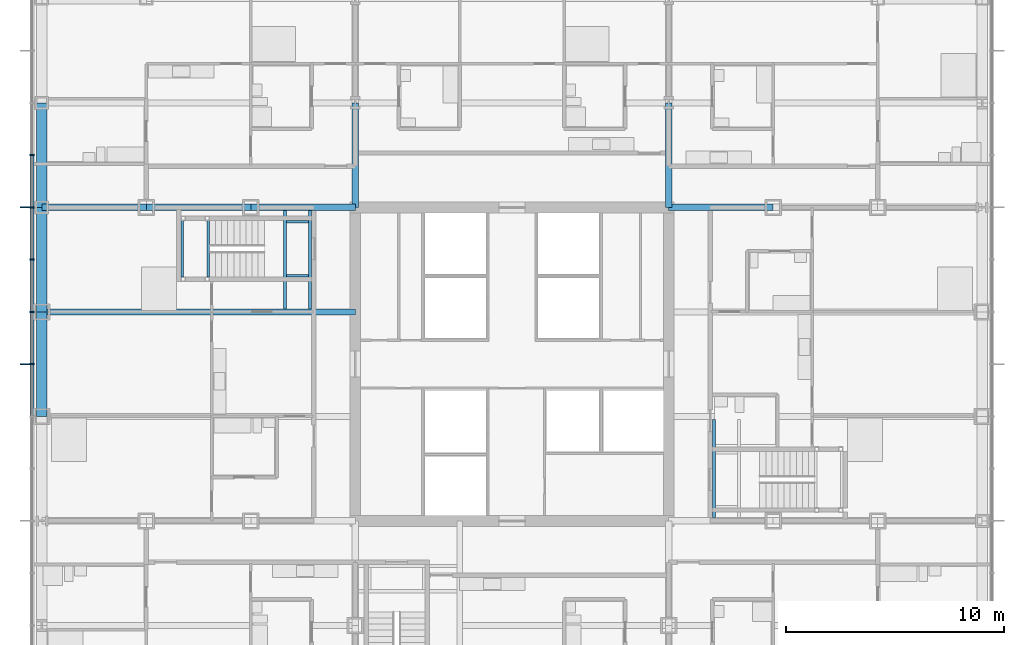
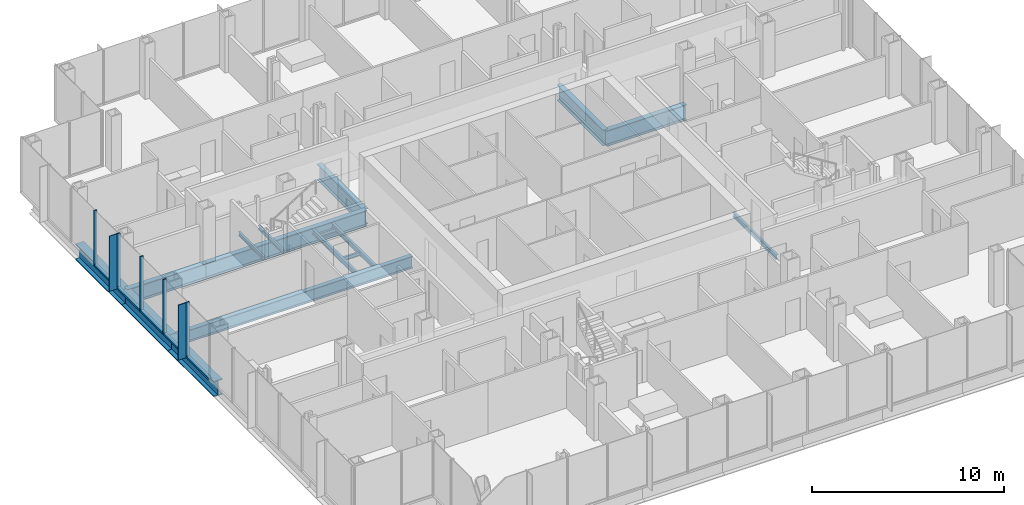
# One storey, part 8 of 21: 17 beams, 12 members, 1 element without a shape of its own.
"""IFC4 building model written with IfcOpenShell, lengths in metres."""

from ifc_helpers import new_model, si_unit, direction, frame, origin, origin_2d, place, context, subcontext, project, spatial, rectangle, i_section, extrude, material, material_profile, profile_set, type_object, element, aggregate, save


model = new_model("IFC4")

# Units and contexts
model_context = context("Model", 3, precision=1e-05, world=origin(), true_north=direction((0.0, 1.0)))
body_context = subcontext(model_context, "Body", "Model", "MODEL_VIEW")
ifc_project = project(units=[si_unit("LENGTHUNIT", "METRE"), si_unit("AREAUNIT", "SQUARE_METRE"), si_unit("VOLUMEUNIT", "CUBIC_METRE"), si_unit("PLANEANGLEUNIT", "RADIAN"), si_unit("MASSUNIT", "GRAM", prefix="KILO")], contexts=[model_context])

# Site, building, storey
site_placement = place(None, origin())
site = spatial("IfcSite", under=ifc_project, at=site_placement, CompositionType="ELEMENT")
building_placement = place(site_placement, origin())
building = spatial("IfcBuilding", under=site, at=building_placement, Name="Kvirike Care Tower", CompositionType="ELEMENT")
storey_placement = place(building_placement, frame((0.0, 0.0, 58.5)))
storey = spatial("IfcBuildingStorey", under=building, at=storey_placement, Name="L15", CompositionType="ELEMENT", Elevation=58.5)

# Curtain wall, members
ifc_material_1 = material(Name="Anodised aluminium stick system", Category="aluminium")
curtain_wall_type = type_object("IfcCurtainWallType", Name="CW-A STICK CURTAIN WALL", PredefinedType="NOTDEFINED", material=ifc_material_1)
curtain_wall_placement = place(storey_placement, origin())
curtain_wall = element("IfcCurtainWall", 1, at=curtain_wall_placement, inside=storey, type_object=curtain_wall_type, Name="Curtain wall L15 face 1", PredefinedType="NOTDEFINED")
ifc_material_2 = material(Name="Bronze anodised aluminium fin", Category="aluminium")
ifc_material_profile_1 = material_profile(ifc_material_2, rectangle(XDim=0.050048828125, YDim=0.449951171875, at=origin_2d()), Name="BRONZE FIN 450")
ifc_profile_set_1 = profile_set([ifc_material_profile_1], Name="Bronze anodised aluminium fin")
member_type_1 = type_object("IfcMemberType", Name="BRONZE FIN 450", PredefinedType="USERDEFINED", material=ifc_profile_set_1)
member_1_placement = place(storey_placement, frame((-0.77490234375, 43.199951171875, 0.0), z_axis=(0.0, 0.0, 1.0), x_axis=(0.0, -1.0, 0.0)))
member_1 = element("IfcMember", 2, at=member_1_placement, type_object=member_type_1, Name="Bronze fin L15 face 1.5", ObjectType="FIN", PredefinedType="USERDEFINED", context=body_context, shape_type="SweptSolid", body=[
    extrude(rectangle(XDim=0.050048828125, YDim=0.449951171875, at=origin_2d()), origin(), (0.0, 0.0, 1.0), 3.5),
])
member_2_placement = place(storey_placement, frame((-0.77490234375, 36.0, 0.0), z_axis=(0.0, 0.0, 1.0), x_axis=(0.0, -1.0, 0.0)))
member_2 = element("IfcMember", 3, at=member_2_placement, type_object=member_type_1, Name="Bronze fin L15 face 1.8", ObjectType="FIN", PredefinedType="USERDEFINED", context=body_context, shape_type="SweptSolid", body=[
    extrude(rectangle(XDim=0.050048828125, YDim=0.449951171875, at=origin_2d()), origin(), (0.0, 0.0, 1.0), 3.5),
])
ifc_material_3 = material(Name="Bronze anodised aluminium mullion", Category="aluminium")
ifc_material_profile_2 = material_profile(ifc_material_3, rectangle(XDim=0.06494140625, YDim=0.199951171875, at=origin_2d()), Name="CW-A MULLION 65x200")
ifc_profile_set_2 = profile_set([ifc_material_profile_2], Name="Bronze anodised aluminium mullion")
member_type_2 = type_object("IfcMemberType", Name="CW-A MULLION 65x200", PredefinedType="MULLION", material=ifc_profile_set_2)
member_3_placement = place(storey_placement, frame((-0.449951171875, 45.60009765625, 0.0), z_axis=(0.0, 0.0, 1.0), x_axis=(0.0, -1.0, 0.0)))
member_3 = element("IfcMember", 4, at=member_3_placement, type_object=member_type_2, Name="CW-A mullion L15 face 1.4", PredefinedType="MULLION", context=body_context, shape_type="SweptSolid", body=[
    extrude(rectangle(XDim=0.06494140625, YDim=0.199951171875, at=origin_2d()), origin(), (0.0, 0.0, 1.0), 3.5),
])
member_4_placement = place(storey_placement, frame((-0.449951171875, 43.199951171875, 0.0), z_axis=(0.0, 0.0, 1.0), x_axis=(0.0, -1.0, 0.0)))
member_4 = element("IfcMember", 5, at=member_4_placement, type_object=member_type_2, Name="CW-A mullion L15 face 1.5", PredefinedType="MULLION", context=body_context, shape_type="SweptSolid", body=[
    extrude(rectangle(XDim=0.06494140625, YDim=0.199951171875, at=origin_2d()), origin(), (0.0, 0.0, 1.0), 3.5),
])
member_5_placement = place(storey_placement, frame((-0.449951171875, 40.800048828125, 0.0), z_axis=(0.0, 0.0, 1.0), x_axis=(0.0, -1.0, 0.0)))
member_5 = element("IfcMember", 6, at=member_5_placement, type_object=member_type_2, Name="CW-A mullion L15 face 1.6", PredefinedType="MULLION", context=body_context, shape_type="SweptSolid", body=[
    extrude(rectangle(XDim=0.06494140625, YDim=0.199951171875, at=origin_2d()), origin(), (0.0, 0.0, 1.0), 3.5),
])
member_6_placement = place(storey_placement, frame((-0.449951171875, 38.39990234375, 0.0), z_axis=(0.0, 0.0, 1.0), x_axis=(0.0, -1.0, 0.0)))
member_6 = element("IfcMember", 7, at=member_6_placement, type_object=member_type_2, Name="CW-A mullion L15 face 1.7", PredefinedType="MULLION", context=body_context, shape_type="SweptSolid", body=[
    extrude(rectangle(XDim=0.06494140625, YDim=0.199951171875, at=origin_2d()), origin(), (0.0, 0.0, 1.0), 3.5),
])
member_7_placement = place(storey_placement, frame((-0.449951171875, 36.0, 0.0), z_axis=(0.0, 0.0, 1.0), x_axis=(0.0, -1.0, 0.0)))
member_7 = element("IfcMember", 8, at=member_7_placement, type_object=member_type_2, Name="CW-A mullion L15 face 1.8", PredefinedType="MULLION", context=body_context, shape_type="SweptSolid", body=[
    extrude(rectangle(XDim=0.06494140625, YDim=0.199951171875, at=origin_2d()), origin(), (0.0, 0.0, 1.0), 3.5),
])
ifc_material_4 = material(Name="Bronze anodised aluminium transom", Category="aluminium")
ifc_material_profile_3 = material_profile(ifc_material_4, rectangle(XDim=0.199951171875, YDim=0.10009765625, at=origin_2d()), Name="CW-A TRANSOM 200x100")
ifc_profile_set_3 = profile_set([ifc_material_profile_3], Name="Bronze anodised aluminium transom")
member_type_3 = type_object("IfcMemberType", Name="CW-A TRANSOM 200x100", PredefinedType="USERDEFINED", material=ifc_profile_set_3)
member_8_placement = place(storey_placement, frame((-0.449951171875, 45.5673828125, 0.050048828125), z_axis=(0.0, -1.0, 0.0), x_axis=(1.0, 0.0, 0.0)))
member_8 = element("IfcMember", 9, at=member_8_placement, type_object=member_type_3, Name="CW-A sill transom L15 face 1.4", ObjectType="TRANSOM", PredefinedType="USERDEFINED", context=body_context, shape_type="SweptSolid", body=[
    extrude(rectangle(XDim=0.199951171875, YDim=0.10009765625, at=origin_2d()), origin(), (0.0, 0.0, 1.0), 2.3349609375),
])
member_9_placement = place(storey_placement, frame((-0.449951171875, 43.16748046875, 0.050048828125), z_axis=(0.0, -1.0, 0.0), x_axis=(1.0, 0.0, 0.0)))
member_9 = element("IfcMember", 10, at=member_9_placement, type_object=member_type_3, Name="CW-A sill transom L15 face 1.5", ObjectType="TRANSOM", PredefinedType="USERDEFINED", context=body_context, shape_type="SweptSolid", body=[
    extrude(rectangle(XDim=0.199951171875, YDim=0.10009765625, at=origin_2d()), origin(), (0.0, 0.0, 1.0), 2.3349609375),
])
member_10_placement = place(storey_placement, frame((-0.449951171875, 40.767578125, 0.050048828125), z_axis=(0.0, -1.0, 0.0), x_axis=(1.0, 0.0, 0.0)))
member_10 = element("IfcMember", 11, at=member_10_placement, type_object=member_type_3, Name="CW-A sill transom L15 face 1.6", ObjectType="TRANSOM", PredefinedType="USERDEFINED", context=body_context, shape_type="SweptSolid", body=[
    extrude(rectangle(XDim=0.199951171875, YDim=0.10009765625, at=origin_2d()), origin(), (0.0, 0.0, 1.0), 2.3349609375),
])
member_11_placement = place(storey_placement, frame((-0.449951171875, 38.367431640625, 0.050048828125), z_axis=(0.0, -1.0, 0.0), x_axis=(1.0, 0.0, 0.0)))
member_11 = element("IfcMember", 12, at=member_11_placement, type_object=member_type_3, Name="CW-A sill transom L15 face 1.7", ObjectType="TRANSOM", PredefinedType="USERDEFINED", context=body_context, shape_type="SweptSolid", body=[
    extrude(rectangle(XDim=0.199951171875, YDim=0.10009765625, at=origin_2d()), origin(), (0.0, 0.0, 1.0), 2.3349609375),
])
member_12_placement = place(storey_placement, frame((-0.449951171875, 35.967529296875, 0.050048828125), z_axis=(0.0, -1.0, 0.0), x_axis=(1.0, 0.0, 0.0)))
member_12 = element("IfcMember", 13, at=member_12_placement, type_object=member_type_3, Name="CW-A sill transom L15 face 1.8", ObjectType="TRANSOM", PredefinedType="USERDEFINED", context=body_context, shape_type="SweptSolid", body=[
    extrude(rectangle(XDim=0.199951171875, YDim=0.10009765625, at=origin_2d()), origin(), (0.0, 0.0, 1.0), 2.3349609375),
])
aggregate(curtain_wall, [member_3, member_4, member_1, member_5, member_6, member_7, member_2, member_8, member_9, member_10, member_11, member_12])

# Beams
ifc_material_5 = material(Name="Steel S355", Category="steel")
ifc_material_profile_4 = material_profile(ifc_material_5, i_section(OverallWidth=0.26806640625, OverallDepth=0.77001953125, WebThickness=0.015625, FlangeThickness=0.025390625, FilletRadius=0.01708984375, at=origin_2d()), Name="IPE 750x196")
ifc_profile_set_4 = profile_set([ifc_material_profile_4], Name="Steel S355")
beam_type_1 = type_object("IfcBeamType", Name="FLOOR BEAM IPE 750x196", PredefinedType="BEAM", material=ifc_profile_set_4)
beam_1_placement = place(storey_placement, frame((0.0, 38.39990234375, -0.554931640625), z_axis=(1.0, 0.0, 0.0), x_axis=(0.0, 1.0, 0.0)))
element("IfcBeam", 14, at=beam_1_placement, inside=storey, type_object=beam_type_1, Name="Floor Beam J3-J6 L15", PredefinedType="BEAM", context=body_context, shape_type="SweptSolid", body=[
    extrude(i_section(OverallWidth=0.26806640625, OverallDepth=0.77001953125, WebThickness=0.015625, FlangeThickness=0.025390625, FilletRadius=0.01708984375, at=origin_2d()), origin(), (0.0, 0.0, 1.0), 14.39990234375),
])
ifc_material_6 = material(Name="Steel S355", Category="steel")
ifc_material_profile_5 = material_profile(ifc_material_6, i_section(OverallWidth=0.300048828125, OverallDepth=1.0, WebThickness=0.01904296875, FlangeThickness=0.035888671875, FilletRadius=0.030029296875, at=origin_2d()), Name="HE 1000 B")
ifc_profile_set_5 = profile_set([ifc_material_profile_5], Name="Steel S355")
beam_type_2 = type_object("IfcBeamType", Name="FRAME BEAM HE 1000 B", PredefinedType="BEAM", material=ifc_profile_set_5)
for number, where, z_axis, x_axis, name in (
    (15, (0.0, 43.199951171875, -0.669921875), (1.0, 0.0, 0.0), (0.0, 1.0, 0.0), "Frame Beam K3-K4 L15"),
    (16, (4.800048828125, 43.199951171875, -0.669921875), (1.0, 0.0, 0.0), (0.0, 1.0, 0.0), "Frame Beam K4-K5 L15"),
):
    element("IfcBeam", number, at=place(storey_placement, frame(where, z_axis=z_axis, x_axis=x_axis)), inside=storey, type_object=beam_type_2, Name=name, PredefinedType="BEAM", context=body_context, shape_type="SweptSolid", body=[
        extrude(i_section(OverallWidth=0.300048828125, OverallDepth=1.0, WebThickness=0.01904296875, FlangeThickness=0.035888671875, FilletRadius=0.030029296875, at=origin_2d()), origin(), (0.0, 0.0, 1.0), 4.800048828125),
    ])
beam_2_placement = place(storey_placement, frame((9.60009765625, 43.199951171875, -0.669921875), z_axis=(1.0, 0.0, 0.0), x_axis=(0.0, 1.0, 0.0)))
element("IfcBeam", 17, at=beam_2_placement, inside=storey, type_object=beam_type_2, Name="Frame Beam K5-K6 L15", PredefinedType="BEAM", context=body_context, shape_type="SweptSolid", body=[
    extrude(i_section(OverallWidth=0.300048828125, OverallDepth=1.0, WebThickness=0.01904296875, FlangeThickness=0.035888671875, FilletRadius=0.030029296875, at=origin_2d()), origin(), (0.0, 0.0, 1.0), 4.7998046875),
])
for number, where, z_axis, x_axis, name in (
    (18, (28.800048828125, 43.199951171875, -0.669921875), (1.0, 0.0, 0.0), (0.0, 1.0, 0.0), "Frame Beam K9-K10 L15"),
    (19, (14.39990234375, 43.199951171875, -0.669921875), (0.0, 1.0, 0.0), (-1.0, 0.0, 0.0), "Frame Beam K6-L6 L15"),
    (20, (28.800048828125, 43.199951171875, -0.669921875), (0.0, 1.0, 0.0), (-1.0, 0.0, 0.0), "Frame Beam K9-L9 L15"),
):
    element("IfcBeam", number, at=place(storey_placement, frame(where, z_axis=z_axis, x_axis=x_axis)), inside=storey, type_object=beam_type_2, Name=name, PredefinedType="BEAM", context=body_context, shape_type="SweptSolid", body=[
        extrude(i_section(OverallWidth=0.300048828125, OverallDepth=1.0, WebThickness=0.01904296875, FlangeThickness=0.035888671875, FilletRadius=0.030029296875, at=origin_2d()), origin(), (0.0, 0.0, 1.0), 4.800048828125),
    ])
ifc_material_7 = material(Name="Steel S355", Category="steel")
ifc_material_profile_6 = material_profile(ifc_material_7, i_section(OverallWidth=0.5, OverallDepth=1.0, WebThickness=0.030029296875, FlangeThickness=0.06005859375, at=origin_2d()), Name="PG 1000x500x30x60")
ifc_profile_set_6 = profile_set([ifc_material_profile_6], Name="Steel S355")
beam_type_3 = type_object("IfcBeamType", Name="SPANDREL PG 1000x500x30x60", PredefinedType="SPANDREL", material=ifc_profile_set_6)
beam_3_placement = place(storey_placement, frame((0.0, 33.60009765625, -0.669921875), z_axis=(0.0, 1.0, 0.0), x_axis=(-1.0, 0.0, 0.0)))
element("IfcBeam", 21, at=beam_3_placement, inside=storey, type_object=beam_type_3, Name="Spandrel H3-J3 L15", PredefinedType="SPANDREL", context=body_context, shape_type="SweptSolid", body=[
    extrude(i_section(OverallWidth=0.5, OverallDepth=1.0, WebThickness=0.030029296875, FlangeThickness=0.06005859375, at=origin_2d()), origin(), (0.0, 0.0, 1.0), 4.7998046875),
])
for number, where, z_axis, x_axis, name in (
    (22, (0.0, 38.39990234375, -0.669921875), (0.0, 1.0, 0.0), (-1.0, 0.0, 0.0), "Spandrel J3-K3 L15"),
    (23, (0.0, 43.199951171875, -0.669921875), (0.0, 1.0, 0.0), (-1.0, 0.0, 0.0), "Spandrel K3-L3 L15"),
):
    element("IfcBeam", number, at=place(storey_placement, frame(where, z_axis=z_axis, x_axis=x_axis)), inside=storey, type_object=beam_type_3, Name=name, PredefinedType="SPANDREL", context=body_context, shape_type="SweptSolid", body=[
        extrude(i_section(OverallWidth=0.5, OverallDepth=1.0, WebThickness=0.030029296875, FlangeThickness=0.06005859375, at=origin_2d()), origin(), (0.0, 0.0, 1.0), 4.800048828125),
    ])
ifc_material_8 = material(Name="Steel S355", Category="steel")
ifc_material_profile_7 = material_profile(ifc_material_8, i_section(OverallWidth=0.1201171875, OverallDepth=0.239990234375, WebThickness=0.006103515625, FlangeThickness=0.009765625, FilletRadius=0.014892578125, at=origin_2d()), Name="IPE 240")
ifc_profile_set_7 = profile_set([ifc_material_profile_7], Name="Steel S355")
beam_type_4 = type_object("IfcBeamType", Name="STAIR LANDING BEAM IPE 240", PredefinedType="BEAM", material=ifc_profile_set_7)
for number, where, z_axis, x_axis, name in (
    (24, (6.4599609375, 42.60009765625, 1.429931640625), (0.0, -1.0, 0.0), (1.0, 0.0, 0.0), "Stair 1 landing beam back L15"),
    (25, (7.639892578125, 42.60009765625, 1.429931640625), (0.0, -1.0, 0.0), (1.0, 0.0, 0.0), "Stair 1 landing beam front L15"),
):
    element("IfcBeam", number, at=place(storey_placement, frame(where, z_axis=z_axis, x_axis=x_axis)), inside=storey, type_object=beam_type_4, Name=name, PredefinedType="BEAM", context=body_context, shape_type="SweptSolid", body=[
        extrude(i_section(OverallWidth=0.1201171875, OverallDepth=0.239990234375, WebThickness=0.006103515625, FlangeThickness=0.009765625, FilletRadius=0.014892578125, at=origin_2d()), origin(), (0.0, 0.0, 1.0), 2.60009765625),
    ])
for number, where, z_axis, x_axis, name in (
    (26, (11.25, 42.5400390625, -0.320068359375), (1.0, 0.0, 0.0), (0.0, 1.0, 0.0), "Stair 1 landing edge beam 1 L15"),
    (27, (11.25, 40.06005859375, -0.320068359375), (1.0, 0.0, 0.0), (0.0, 1.0, 0.0), "Stair 1 landing edge beam 2 L15"),
):
    element("IfcBeam", number, at=place(storey_placement, frame(where, z_axis=z_axis, x_axis=x_axis)), inside=storey, type_object=beam_type_4, Name=name, PredefinedType="BEAM", context=body_context, shape_type="SweptSolid", body=[
        extrude(i_section(OverallWidth=0.1201171875, OverallDepth=0.239990234375, WebThickness=0.006103515625, FlangeThickness=0.009765625, FilletRadius=0.014892578125, at=origin_2d()), origin(), (0.0, 0.0, 1.0), 1.0),
    ])
ifc_material_9 = material(Name="Steel S355", Category="steel")
ifc_material_profile_8 = material_profile(ifc_material_9, i_section(OverallWidth=0.14990234375, OverallDepth=0.300048828125, WebThickness=0.007080078125, FlangeThickness=0.0107421875, FilletRadius=0.014892578125, at=origin_2d()), Name="IPE 300")
ifc_profile_set_8 = profile_set([ifc_material_profile_8], Name="Steel S355")
beam_type_5 = type_object("IfcBeamType", Name="STAIR TRIMMER IPE 300", PredefinedType="BEAM", material=ifc_profile_set_8)
for number, where, z_axis, x_axis, name in (
    (28, (11.175048828125, 43.050048828125, -0.35009765625), (0.0, -1.0, 0.0), (1.0, 0.0, 0.0), "Stair 1 trimmer 1 L15"),
    (29, (12.324951171875, 43.050048828125, -0.35009765625), (0.0, -1.0, 0.0), (1.0, 0.0, 0.0), "Stair 1 trimmer 2 L15"),
    (30, (30.875, 28.949951171875, -0.35009765625), (0.0, 1.0, 0.0), (-1.0, 0.0, 0.0), "Stair 2 trimmer 2 L15"),
):
    element("IfcBeam", number, at=place(storey_placement, frame(where, z_axis=z_axis, x_axis=x_axis)), inside=storey, type_object=beam_type_5, Name=name, PredefinedType="BEAM", context=body_context, shape_type="SweptSolid", body=[
        extrude(i_section(OverallWidth=0.14990234375, OverallDepth=0.300048828125, WebThickness=0.007080078125, FlangeThickness=0.0107421875, FilletRadius=0.014892578125, at=origin_2d()), origin(), (0.0, 0.0, 1.0), 4.51611328125),
    ])

save(model, "model.ifc")
